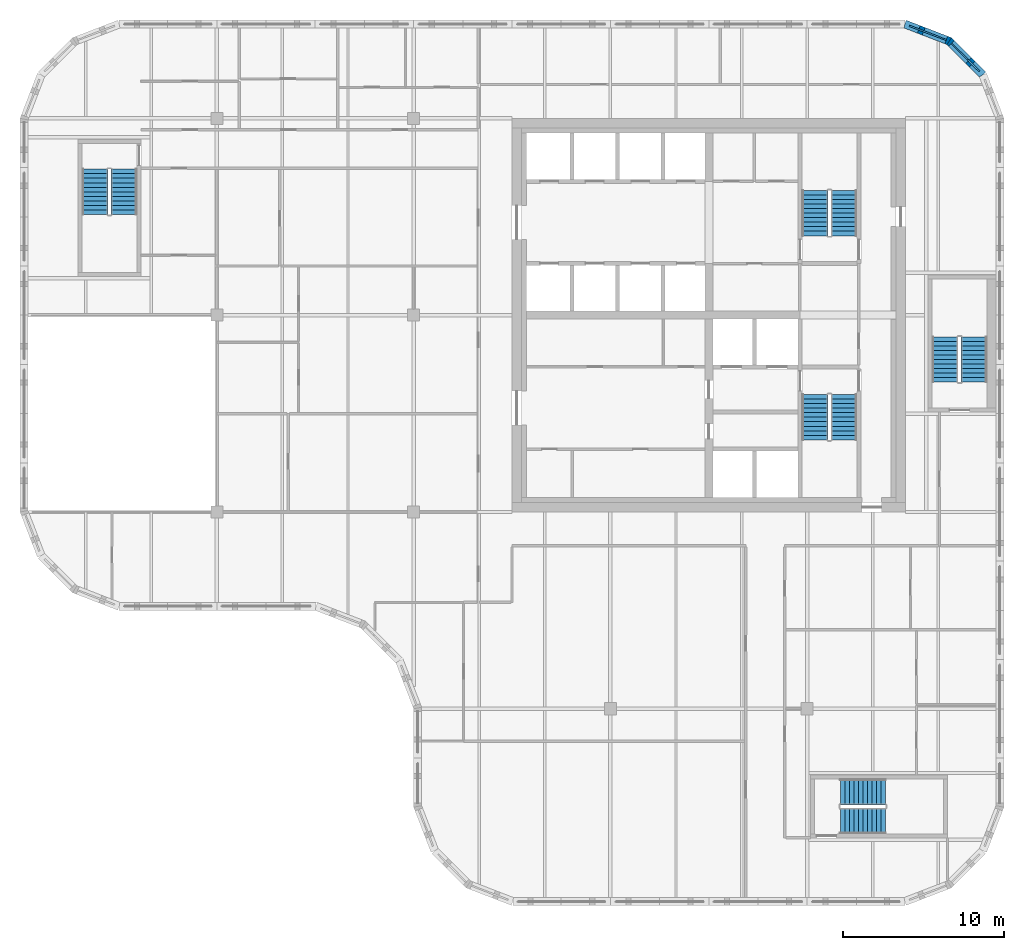
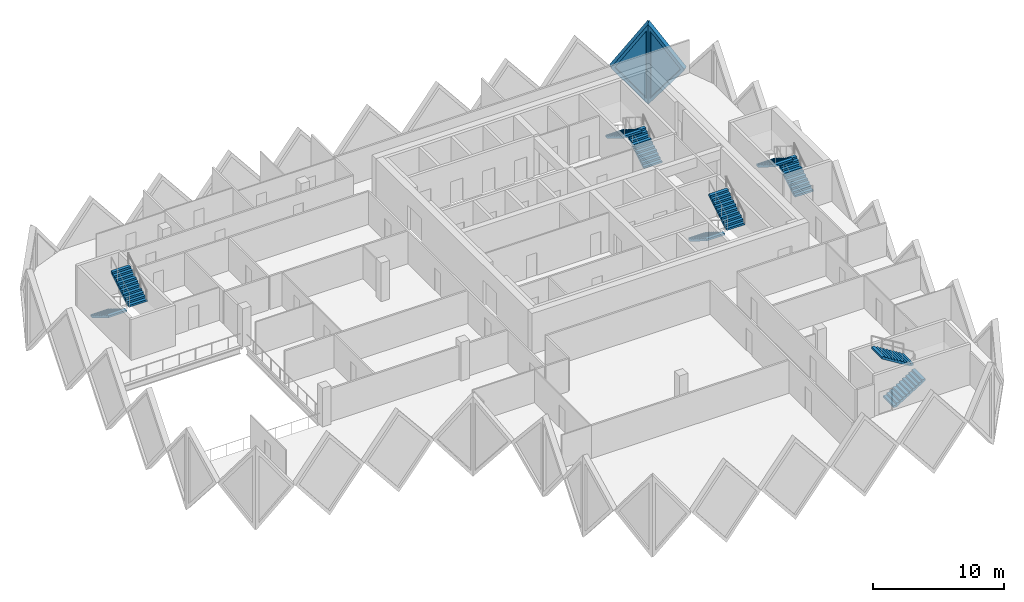
# One storey, part 10 of 11: 10 stair flights, 2 plates, 2 walls, 2 openings, 5 elements without a shape of their own.
"""IFC4 building model written with IfcOpenShell, lengths in metres."""

from ifc_helpers import new_model, si_unit, direction, frame, origin, place, context, subcontext, project, spatial, polyline, outline, extrude, faceted_brep, source, transform, mapped, material, layer, layer_set, type_object, element, fill, aggregate, save


model = new_model("IFC4")

# Units and contexts
model_context = context("Model", 3, precision=1e-05, world=origin(), true_north=direction((0.0, 1.0)))
body_context = subcontext(model_context, "Body", "Model", "MODEL_VIEW")
ifc_project = project(units=[si_unit("LENGTHUNIT", "METRE"), si_unit("AREAUNIT", "SQUARE_METRE"), si_unit("VOLUMEUNIT", "CUBIC_METRE"), si_unit("PLANEANGLEUNIT", "RADIAN"), si_unit("MASSUNIT", "GRAM", prefix="KILO")], contexts=[model_context])

# Site, building, storey
site_placement = place(None, origin())
site = spatial("IfcSite", under=ifc_project, at=site_placement, CompositionType="ELEMENT")
building_placement = place(site_placement, origin())
building = spatial("IfcBuilding", under=site, at=building_placement, Name="Tessera Gate Towers", CompositionType="ELEMENT")
storey_placement = place(building_placement, frame((0.0, 0.0, 166.800048828125)))
storey = spatial("IfcBuildingStorey", under=building, at=storey_placement, Name="L41", CompositionType="ELEMENT", Elevation=166.800048828125)

# Wall, opening, plate
ifc_material_1 = material(Name="Precast concrete C60/75 white", Category="concrete")
ifc_layer_1 = layer(ifc_material_1, 0.5)
ifc_layer_set_1 = layer_set([ifc_layer_1], Name="TS3 corner tessera")
wall_type = type_object("IfcWallType", Name="TS3 corner tessera", PredefinedType="SOLIDWALL", material=ifc_layer_set_1)
shared_shape_1 = source(origin(), body_context, "Body", "Brep", [
    faceted_brep([(2.944091796875, -0.25, 0.0), (2.9970703125, -0.25, 0.068115234375), (2.9970703125, -0.25, 7.531982421875), (2.944091796875, -0.25, 7.60009765625), (0.0, -0.25, 3.800048828125), (0.052978515625, 0.25, 3.868408203125), (2.89111328125, 0.25, 7.531982421875), (2.89111328125, 0.25, 0.068115234375), (0.052978515625, 0.25, 3.731689453125), (2.944091796875, 0.000244140625, 0.0), (2.944091796875, 0.000244140625, 7.60009765625), (0.0, 0.0, 3.800048828125)], [[[0, 1, 2, 3, 4]], [[5, 6, 7, 8]], [[1, 0, 9]], [[10, 3, 2]], [[6, 5, 11, 4, 3, 10]], [[8, 7, 9, 0, 4, 11]], [[8, 11, 5]], [[1, 9, 7, 6, 10, 2]]]),
])
wall_1_placement = place(storey_placement, frame((59.68798828125, 51.50634765625, -3.800048828125), z_axis=(0.0, 0.0, 1.0), x_axis=(-0.707106781187, 0.707106781187, 0.0)))
wall_1 = element("IfcWall", 1, at=wall_1_placement, inside=storey, type_object=wall_type, Name="Precast corner tessera T1 TS3-0943", PredefinedType="SOLIDWALL", context=body_context, shape_type="MappedRepresentation", body=[
    mapped(shared_shape_1, transform((0.0, 0.0, 0.0), scale=1.0)),
])
shared_shape_2 = source(origin(), body_context, "Body", "SweptSolid", [
    extrude(outline(polyline([(2.744140625, 6.93359375), (0.316162109375, 3.800048828125), (2.744140625, 0.666259765625), (2.744140625, 6.93359375)])), frame((0.0, 0.260009765625, 0.0), z_axis=(0.0, -1.0, 0.0), x_axis=(1.0, 0.0, 0.0)), (0.0, 0.0, 1.0), 0.52001953125),
])
opening_1_placement = place(wall_1_placement, origin())
opening_1 = element("IfcOpeningElement", 2, at=opening_1_placement, cuts=wall_1, Name="Opening T1-PL2-1426", PredefinedType="OPENING", context=body_context, shape_type="MappedRepresentation", body=[
    mapped(shared_shape_2, transform((0.0, 0.0, 0.0), scale=1.0)),
])
ifc_material_2 = material(Name="Low-e laminated glass", Category="glass")
ifc_layer_2 = layer(ifc_material_2, 0.06005859375)
ifc_layer_set_2 = layer_set([ifc_layer_2], Name="PL2 rhombic pane")
plate_type = type_object("IfcPlateType", Name="PL2 rhombic pane", PredefinedType="SHEET", material=ifc_layer_set_2)
shared_shape_3 = source(origin(), body_context, "Body", "SweptSolid", [
    extrude(outline(polyline([(2.744140625, 6.93359375), (0.316162109375, 3.800048828125), (2.744140625, 0.666259765625), (2.744140625, 6.93359375)])), frame((0.0, 0.030029296875, 0.0), z_axis=(0.0, -1.0, 0.0), x_axis=(1.0, 0.0, 0.0)), (0.0, 0.0, 1.0), 0.06005859375),
])
plate_1_placement = place(opening_1_placement, origin())
plate_1 = element("IfcPlate", 3, at=plate_1_placement, inside=storey, type_object=plate_type, Name="Glass pane T1 PL2-1426", PredefinedType="SHEET", context=body_context, shape_type="MappedRepresentation", body=[
    mapped(shared_shape_3, transform((0.0, 0.0, 0.0), scale=1.0)),
])
fill(opening_1, plate_1)

shared_shape_4 = source(origin(), body_context, "Body", "Brep", [
    faceted_brep([(0.052978515625, -0.25, 0.0), (3.00341796875, -0.25, 3.800048828125), (0.052978515625, -0.25, 7.60009765625), (0.0, -0.25, 7.53173828125), (0.0, -0.25, 0.068359375), (0.10595703125, 0.25, 7.531982421875), (2.95703125, 0.25, 3.85986328125), (2.95703125, 0.25, 3.740234375), (0.10595703125, 0.25, 0.068115234375), (3.00341796875, 0.00048828125, 3.800048828125), (0.052978515625, 0.0, 0.0), (0.052978515625, 0.0, 7.60009765625)], [[[0, 1, 2, 3, 4]], [[5, 6, 7, 8]], [[8, 7, 9, 1, 0, 10]], [[6, 5, 11, 2, 1, 9]], [[3, 2, 11]], [[10, 0, 4]], [[8, 10, 4, 3, 11, 5]], [[9, 7, 6]]]),
])
wall_2_placement = place(storey_placement, frame((57.65576171875, 53.569091796875, -3.800048828125), z_axis=(0.0, 0.0, 1.0), x_axis=(-0.933007896601, 0.359855894603, 0.0)))
wall_2 = element("IfcWall", 4, at=wall_2_placement, inside=storey, type_object=wall_type, Name="Precast corner tessera T1 TS3-0944", PredefinedType="SOLIDWALL", context=body_context, shape_type="MappedRepresentation", body=[
    mapped(shared_shape_4, transform((0.0, 0.0, 0.0), scale=1.0)),
])
shared_shape_5 = source(origin(), body_context, "Body", "SweptSolid", [
    extrude(outline(polyline([(0.2529296875, 0.665283203125), (2.68701171875, 3.800048828125), (0.2529296875, 6.934814453125), (0.2529296875, 0.665283203125)])), frame((0.0, 0.260009765625, 0.0), z_axis=(0.0, -1.0, 0.0), x_axis=(1.0, 0.0, 0.0)), (0.0, 0.0, 1.0), 0.52001953125),
])
opening_2_placement = place(wall_2_placement, origin())
opening_2 = element("IfcOpeningElement", 5, at=opening_2_placement, cuts=wall_2, Name="Opening T1-PL2-1427", PredefinedType="OPENING", context=body_context, shape_type="MappedRepresentation", body=[
    mapped(shared_shape_5, transform((0.0, 0.0, 0.0), scale=1.0)),
])
shared_shape_6 = source(origin(), body_context, "Body", "SweptSolid", [
    extrude(outline(polyline([(0.2529296875, 0.665283203125), (2.68701171875, 3.800048828125), (0.2529296875, 6.934814453125), (0.2529296875, 0.665283203125)])), frame((0.0, 0.030029296875, 0.0), z_axis=(0.0, -1.0, 0.0), x_axis=(1.0, 0.0, 0.0)), (0.0, 0.0, 1.0), 0.06005859375),
])
plate_2_placement = place(opening_2_placement, origin())
plate_2 = element("IfcPlate", 6, at=plate_2_placement, inside=storey, type_object=plate_type, Name="Glass pane T1 PL2-1427", PredefinedType="SHEET", context=body_context, shape_type="MappedRepresentation", body=[
    mapped(shared_shape_6, transform((0.0, 0.0, 0.0), scale=1.0)),
])
fill(opening_2, plate_2)

# Stair, stair flights
ifc_material_3 = material(Name="Concrete C40/50", Category="concrete")
stair_type_1 = type_object("IfcStairType", Name="EXIT STAIR ST1 1600", PredefinedType="HALF_TURN_STAIR", material=ifc_material_3)
stair_1_placement = place(storey_placement, origin())
stair_1 = element("IfcStair", 7, at=stair_1_placement, inside=storey, type_object=stair_type_1, Name="L41 Protected Exit Stair ST1", PredefinedType="HALF_TURN_STAIR")
ifc_material_4 = material(Name="Concrete C40/50", Category="concrete")
stair_flight_type_1 = type_object("IfcStairFlightType", Name="EXIT STAIR FLIGHT ST1 1600", PredefinedType="STRAIGHT", material=ifc_material_4)
stair_flight_1_placement = place(storey_placement, frame((49.27490234375, 31.675048828125, 0.0), z_axis=(0.0, 0.0, 1.0), x_axis=(0.0, -1.0, 0.0)))
stair_flight_1 = element("IfcStairFlight", 8, at=stair_flight_1_placement, type_object=stair_flight_type_1, Name="ST1 flight 1", NumberOfRisers=11, NumberOfTreads=10, PredefinedType="STRAIGHT", RiserHeight=0.172727273, TreadLength=0.28, context=body_context, shape_type="SweptSolid", body=[
    extrude(outline(polyline([(0.0, 0.0), (0.0, 0.172607421875), (0.280029296875, 0.172607421875), (0.280029296875, 0.345458984375), (0.56005859375, 0.345458984375), (0.56005859375, 0.51806640625), (0.840087890625, 0.51806640625), (0.840087890625, 0.69091796875), (1.1201171875, 0.69091796875), (1.1201171875, 0.863525390625), (1.39990234375, 0.863525390625), (1.39990234375, 1.036376953125), (1.679931640625, 1.036376953125), (1.679931640625, 1.208984375), (1.9599609375, 1.208984375), (1.9599609375, 1.3818359375), (2.239990234375, 1.3818359375), (2.239990234375, 1.554443359375), (2.52001953125, 1.554443359375), (2.52001953125, 1.727294921875), (2.800048828125, 1.727294921875), (2.800048828125, 1.89990234375), (2.800048828125, 1.551025390625), (0.285400390625, 0.0), (0.0, 0.0)])), frame((0.0, 0.800048828125, 0.0), z_axis=(0.0, -1.0, 0.0), x_axis=(1.0, 0.0, 0.0)), (0.0, 0.0, 1.0), 1.60009765625),
])
stair_flight_2_placement = place(storey_placement, frame((51.074951171875, 28.875, 1.89990234375), z_axis=(0.0, 0.0, 1.0), x_axis=(0.0, 1.0, 0.0)))
stair_flight_2 = element("IfcStairFlight", 9, at=stair_flight_2_placement, type_object=stair_flight_type_1, Name="ST1 flight 2", NumberOfRisers=11, NumberOfTreads=10, PredefinedType="STRAIGHT", RiserHeight=0.172727273, TreadLength=0.28, context=body_context, shape_type="SweptSolid", body=[
    extrude(outline(polyline([(0.0, 0.0), (0.0, 0.172607421875), (0.280029296875, 0.172607421875), (0.280029296875, 0.345458984375), (0.56005859375, 0.345458984375), (0.56005859375, 0.51806640625), (0.840087890625, 0.51806640625), (0.840087890625, 0.69091796875), (1.1201171875, 0.69091796875), (1.1201171875, 0.863525390625), (1.39990234375, 0.863525390625), (1.39990234375, 1.036376953125), (1.679931640625, 1.036376953125), (1.679931640625, 1.208984375), (1.9599609375, 1.208984375), (1.9599609375, 1.3818359375), (2.239990234375, 1.3818359375), (2.239990234375, 1.554443359375), (2.52001953125, 1.554443359375), (2.52001953125, 1.727294921875), (2.800048828125, 1.727294921875), (2.800048828125, 1.89990234375), (2.800048828125, 1.551025390625), (0.285400390625, 0.0), (0.0, 0.0)])), frame((0.0, 0.800048828125, 0.0), z_axis=(0.0, -1.0, 0.0), x_axis=(1.0, 0.0, 0.0)), (0.0, 0.0, 1.0), 1.60009765625),
])
aggregate(stair_1, [stair_flight_1, stair_flight_2])

ifc_material_5 = material(Name="Concrete C40/50", Category="concrete")
stair_type_2 = type_object("IfcStairType", Name="EXIT STAIR ST2 1600", PredefinedType="HALF_TURN_STAIR", material=ifc_material_5)
stair_2_placement = place(storey_placement, origin())
stair_2 = element("IfcStair", 10, at=stair_2_placement, inside=storey, type_object=stair_type_2, Name="L41 Protected Exit Stair ST2", PredefinedType="HALF_TURN_STAIR")
ifc_material_6 = material(Name="Concrete C40/50", Category="concrete")
stair_flight_type_2 = type_object("IfcStairFlightType", Name="EXIT STAIR FLIGHT ST2 1600", PredefinedType="STRAIGHT", material=ifc_material_6)
stair_flight_3_placement = place(storey_placement, frame((51.074951171875, 41.52490234375, 0.0), z_axis=(0.0, 0.0, 1.0), x_axis=(0.0, 1.0, 0.0)))
stair_flight_3 = element("IfcStairFlight", 11, at=stair_flight_3_placement, type_object=stair_flight_type_2, Name="ST2 flight 1", NumberOfRisers=11, NumberOfTreads=10, PredefinedType="STRAIGHT", RiserHeight=0.172727273, TreadLength=0.28, context=body_context, shape_type="SweptSolid", body=[
    extrude(outline(polyline([(0.0, 0.0), (0.0, 0.172607421875), (0.280029296875, 0.172607421875), (0.280029296875, 0.345458984375), (0.56005859375, 0.345458984375), (0.56005859375, 0.51806640625), (0.840087890625, 0.51806640625), (0.840087890625, 0.69091796875), (1.1201171875, 0.69091796875), (1.1201171875, 0.863525390625), (1.39990234375, 0.863525390625), (1.39990234375, 1.036376953125), (1.679931640625, 1.036376953125), (1.679931640625, 1.208984375), (1.9599609375, 1.208984375), (1.9599609375, 1.3818359375), (2.239990234375, 1.3818359375), (2.239990234375, 1.554443359375), (2.52001953125, 1.554443359375), (2.52001953125, 1.727294921875), (2.800048828125, 1.727294921875), (2.800048828125, 1.89990234375), (2.800048828125, 1.551025390625), (0.285400390625, 0.0), (0.0, 0.0)])), frame((0.0, 0.800048828125, 0.0), z_axis=(0.0, -1.0, 0.0), x_axis=(1.0, 0.0, 0.0)), (0.0, 0.0, 1.0), 1.60009765625),
])
stair_flight_4_placement = place(storey_placement, frame((49.27490234375, 44.324951171875, 1.89990234375), z_axis=(0.0, 0.0, 1.0), x_axis=(0.0, -1.0, 0.0)))
stair_flight_4 = element("IfcStairFlight", 12, at=stair_flight_4_placement, type_object=stair_flight_type_2, Name="ST2 flight 2", NumberOfRisers=11, NumberOfTreads=10, PredefinedType="STRAIGHT", RiserHeight=0.172727273, TreadLength=0.28, context=body_context, shape_type="SweptSolid", body=[
    extrude(outline(polyline([(0.0, 0.0), (0.0, 0.172607421875), (0.280029296875, 0.172607421875), (0.280029296875, 0.345458984375), (0.56005859375, 0.345458984375), (0.56005859375, 0.51806640625), (0.840087890625, 0.51806640625), (0.840087890625, 0.69091796875), (1.1201171875, 0.69091796875), (1.1201171875, 0.863525390625), (1.39990234375, 0.863525390625), (1.39990234375, 1.036376953125), (1.679931640625, 1.036376953125), (1.679931640625, 1.208984375), (1.9599609375, 1.208984375), (1.9599609375, 1.3818359375), (2.239990234375, 1.3818359375), (2.239990234375, 1.554443359375), (2.52001953125, 1.554443359375), (2.52001953125, 1.727294921875), (2.800048828125, 1.727294921875), (2.800048828125, 1.89990234375), (2.800048828125, 1.551025390625), (0.285400390625, 0.0), (0.0, 0.0)])), frame((0.0, 0.800048828125, 0.0), z_axis=(0.0, -1.0, 0.0), x_axis=(1.0, 0.0, 0.0)), (0.0, 0.0, 1.0), 1.60009765625),
])
aggregate(stair_2, [stair_flight_3, stair_flight_4])

ifc_material_7 = material(Name="Concrete C40/50", Category="concrete")
stair_type_3 = type_object("IfcStairType", Name="EXIT STAIR ST3 1600", PredefinedType="HALF_TURN_STAIR", material=ifc_material_7)
stair_3_placement = place(storey_placement, origin())
stair_3 = element("IfcStair", 13, at=stair_3_placement, inside=storey, type_object=stair_type_3, Name="L41 West Exit Stair ST3", PredefinedType="HALF_TURN_STAIR")
ifc_material_8 = material(Name="Concrete C40/50", Category="concrete")
stair_flight_type_3 = type_object("IfcStairFlightType", Name="EXIT STAIR FLIGHT ST3 1600", PredefinedType="STRAIGHT", material=ifc_material_8)
stair_flight_5_placement = place(storey_placement, frame((4.64990234375, 45.64990234375, 0.0), z_axis=(0.0, 0.0, 1.0), x_axis=(0.0, -1.0, 0.0)))
stair_flight_5 = element("IfcStairFlight", 14, at=stair_flight_5_placement, type_object=stair_flight_type_3, Name="ST3 flight 1", NumberOfRisers=11, NumberOfTreads=10, PredefinedType="STRAIGHT", RiserHeight=0.172727273, TreadLength=0.28, context=body_context, shape_type="SweptSolid", body=[
    extrude(outline(polyline([(0.0, 0.0), (0.0, 0.172607421875), (0.280029296875, 0.172607421875), (0.280029296875, 0.345458984375), (0.56005859375, 0.345458984375), (0.56005859375, 0.51806640625), (0.840087890625, 0.51806640625), (0.840087890625, 0.69091796875), (1.1201171875, 0.69091796875), (1.1201171875, 0.863525390625), (1.39990234375, 0.863525390625), (1.39990234375, 1.036376953125), (1.679931640625, 1.036376953125), (1.679931640625, 1.208984375), (1.9599609375, 1.208984375), (1.9599609375, 1.3818359375), (2.239990234375, 1.3818359375), (2.239990234375, 1.554443359375), (2.52001953125, 1.554443359375), (2.52001953125, 1.727294921875), (2.800048828125, 1.727294921875), (2.800048828125, 1.89990234375), (2.800048828125, 1.551025390625), (0.285400390625, 0.0), (0.0, 0.0)])), frame((0.0, 0.800048828125, 0.0), z_axis=(0.0, -1.0, 0.0), x_axis=(1.0, 0.0, 0.0)), (0.0, 0.0, 1.0), 1.60009765625),
])
stair_flight_6_placement = place(storey_placement, frame((6.449951171875, 42.85009765625, 1.89990234375), z_axis=(0.0, 0.0, 1.0), x_axis=(0.0, 1.0, 0.0)))
stair_flight_6 = element("IfcStairFlight", 15, at=stair_flight_6_placement, type_object=stair_flight_type_3, Name="ST3 flight 2", NumberOfRisers=11, NumberOfTreads=10, PredefinedType="STRAIGHT", RiserHeight=0.172727273, TreadLength=0.28, context=body_context, shape_type="SweptSolid", body=[
    extrude(outline(polyline([(0.0, 0.0), (0.0, 0.172607421875), (0.280029296875, 0.172607421875), (0.280029296875, 0.345458984375), (0.56005859375, 0.345458984375), (0.56005859375, 0.51806640625), (0.840087890625, 0.51806640625), (0.840087890625, 0.69091796875), (1.1201171875, 0.69091796875), (1.1201171875, 0.863525390625), (1.39990234375, 0.863525390625), (1.39990234375, 1.036376953125), (1.679931640625, 1.036376953125), (1.679931640625, 1.208984375), (1.9599609375, 1.208984375), (1.9599609375, 1.3818359375), (2.239990234375, 1.3818359375), (2.239990234375, 1.554443359375), (2.52001953125, 1.554443359375), (2.52001953125, 1.727294921875), (2.800048828125, 1.727294921875), (2.800048828125, 1.89990234375), (2.800048828125, 1.551025390625), (0.285400390625, 0.0), (0.0, 0.0)])), frame((0.0, 0.800048828125, 0.0), z_axis=(0.0, -1.0, 0.0), x_axis=(1.0, 0.0, 0.0)), (0.0, 0.0, 1.0), 1.60009765625),
])
aggregate(stair_3, [stair_flight_5, stair_flight_6])

ifc_material_9 = material(Name="Concrete C40/50", Category="concrete")
stair_type_4 = type_object("IfcStairType", Name="EXIT STAIR ST4 1600", PredefinedType="HALF_TURN_STAIR", material=ifc_material_9)
stair_4_placement = place(storey_placement, origin())
stair_4 = element("IfcStair", 16, at=stair_4_placement, inside=storey, type_object=stair_type_4, Name="L41 South Exit Stair ST4", PredefinedType="HALF_TURN_STAIR")
ifc_material_10 = material(Name="Concrete C40/50", Category="concrete")
stair_flight_type_4 = type_object("IfcStairFlightType", Name="EXIT STAIR FLIGHT ST4 1600", PredefinedType="STRAIGHT", material=ifc_material_10)
stair_flight_7_placement = place(storey_placement, frame((50.85009765625, 5.25, 0.0), z_axis=(0.0, 0.0, 1.0), x_axis=(1.0, 0.0, 0.0)))
stair_flight_7 = element("IfcStairFlight", 17, at=stair_flight_7_placement, type_object=stair_flight_type_4, Name="ST4 flight 1", NumberOfRisers=11, NumberOfTreads=10, PredefinedType="STRAIGHT", RiserHeight=0.172727273, TreadLength=0.28, context=body_context, shape_type="SweptSolid", body=[
    extrude(outline(polyline([(0.0, 0.0), (0.0, 0.172607421875), (0.280029296875, 0.172607421875), (0.280029296875, 0.345458984375), (0.56005859375, 0.345458984375), (0.56005859375, 0.51806640625), (0.840087890625, 0.51806640625), (0.840087890625, 0.69091796875), (1.1201171875, 0.69091796875), (1.1201171875, 0.863525390625), (1.39990234375, 0.863525390625), (1.39990234375, 1.036376953125), (1.679931640625, 1.036376953125), (1.679931640625, 1.208984375), (1.9599609375, 1.208984375), (1.9599609375, 1.3818359375), (2.239990234375, 1.3818359375), (2.239990234375, 1.554443359375), (2.52001953125, 1.554443359375), (2.52001953125, 1.727294921875), (2.800048828125, 1.727294921875), (2.800048828125, 1.89990234375), (2.800048828125, 1.551025390625), (0.285400390625, 0.0), (0.0, 0.0)])), frame((0.0, 0.800048828125, 0.0), z_axis=(0.0, -1.0, 0.0), x_axis=(1.0, 0.0, 0.0)), (0.0, 0.0, 1.0), 1.60009765625),
])
stair_flight_8_placement = place(storey_placement, frame((53.64990234375, 7.050048828125, 1.89990234375), z_axis=(0.0, 0.0, 1.0), x_axis=(-1.0, 0.0, 0.0)))
stair_flight_8 = element("IfcStairFlight", 18, at=stair_flight_8_placement, type_object=stair_flight_type_4, Name="ST4 flight 2", NumberOfRisers=11, NumberOfTreads=10, PredefinedType="STRAIGHT", RiserHeight=0.172727273, TreadLength=0.28, context=body_context, shape_type="SweptSolid", body=[
    extrude(outline(polyline([(0.0, 0.0), (0.0, 0.172607421875), (0.280029296875, 0.172607421875), (0.280029296875, 0.345458984375), (0.56005859375, 0.345458984375), (0.56005859375, 0.51806640625), (0.840087890625, 0.51806640625), (0.840087890625, 0.69091796875), (1.1201171875, 0.69091796875), (1.1201171875, 0.863525390625), (1.39990234375, 0.863525390625), (1.39990234375, 1.036376953125), (1.679931640625, 1.036376953125), (1.679931640625, 1.208984375), (1.9599609375, 1.208984375), (1.9599609375, 1.3818359375), (2.239990234375, 1.3818359375), (2.239990234375, 1.554443359375), (2.52001953125, 1.554443359375), (2.52001953125, 1.727294921875), (2.800048828125, 1.727294921875), (2.800048828125, 1.89990234375), (2.800048828125, 1.551025390625), (0.285400390625, 0.0), (0.0, 0.0)])), frame((0.0, 0.800048828125, 0.0), z_axis=(0.0, -1.0, 0.0), x_axis=(1.0, 0.0, 0.0)), (0.0, 0.0, 1.0), 1.60009765625),
])
aggregate(stair_4, [stair_flight_7, stair_flight_8])

ifc_material_11 = material(Name="Concrete C40/50", Category="concrete")
stair_type_5 = type_object("IfcStairType", Name="EXIT STAIR ST5 1600", PredefinedType="HALF_TURN_STAIR", material=ifc_material_11)
stair_5_placement = place(storey_placement, origin())
stair_5 = element("IfcStair", 19, at=stair_5_placement, inside=storey, type_object=stair_type_5, Name="L41 East Exit Stair ST5", PredefinedType="HALF_TURN_STAIR")
ifc_material_12 = material(Name="Concrete C40/50", Category="concrete")
stair_flight_type_5 = type_object("IfcStairFlightType", Name="EXIT STAIR FLIGHT ST5 1600", PredefinedType="STRAIGHT", material=ifc_material_12)
stair_flight_9_placement = place(storey_placement, frame((59.14990234375, 32.449951171875, 0.0), z_axis=(0.0, 0.0, 1.0), x_axis=(0.0, 1.0, 0.0)))
stair_flight_9 = element("IfcStairFlight", 20, at=stair_flight_9_placement, type_object=stair_flight_type_5, Name="ST5 flight 1", NumberOfRisers=11, NumberOfTreads=10, PredefinedType="STRAIGHT", RiserHeight=0.172727273, TreadLength=0.28, context=body_context, shape_type="SweptSolid", body=[
    extrude(outline(polyline([(0.0, 0.0), (0.0, 0.172607421875), (0.280029296875, 0.172607421875), (0.280029296875, 0.345458984375), (0.56005859375, 0.345458984375), (0.56005859375, 0.51806640625), (0.840087890625, 0.51806640625), (0.840087890625, 0.69091796875), (1.1201171875, 0.69091796875), (1.1201171875, 0.863525390625), (1.39990234375, 0.863525390625), (1.39990234375, 1.036376953125), (1.679931640625, 1.036376953125), (1.679931640625, 1.208984375), (1.9599609375, 1.208984375), (1.9599609375, 1.3818359375), (2.239990234375, 1.3818359375), (2.239990234375, 1.554443359375), (2.52001953125, 1.554443359375), (2.52001953125, 1.727294921875), (2.800048828125, 1.727294921875), (2.800048828125, 1.89990234375), (2.800048828125, 1.551025390625), (0.285400390625, 0.0), (0.0, 0.0)])), frame((0.0, 0.800048828125, 0.0), z_axis=(0.0, -1.0, 0.0), x_axis=(1.0, 0.0, 0.0)), (0.0, 0.0, 1.0), 1.60009765625),
])
stair_flight_10_placement = place(storey_placement, frame((57.35009765625, 35.25, 1.89990234375), z_axis=(0.0, 0.0, 1.0), x_axis=(0.0, -1.0, 0.0)))
stair_flight_10 = element("IfcStairFlight", 21, at=stair_flight_10_placement, type_object=stair_flight_type_5, Name="ST5 flight 2", NumberOfRisers=11, NumberOfTreads=10, PredefinedType="STRAIGHT", RiserHeight=0.172727273, TreadLength=0.28, context=body_context, shape_type="SweptSolid", body=[
    extrude(outline(polyline([(0.0, 0.0), (0.0, 0.172607421875), (0.280029296875, 0.172607421875), (0.280029296875, 0.345458984375), (0.56005859375, 0.345458984375), (0.56005859375, 0.51806640625), (0.840087890625, 0.51806640625), (0.840087890625, 0.69091796875), (1.1201171875, 0.69091796875), (1.1201171875, 0.863525390625), (1.39990234375, 0.863525390625), (1.39990234375, 1.036376953125), (1.679931640625, 1.036376953125), (1.679931640625, 1.208984375), (1.9599609375, 1.208984375), (1.9599609375, 1.3818359375), (2.239990234375, 1.3818359375), (2.239990234375, 1.554443359375), (2.52001953125, 1.554443359375), (2.52001953125, 1.727294921875), (2.800048828125, 1.727294921875), (2.800048828125, 1.89990234375), (2.800048828125, 1.551025390625), (0.285400390625, 0.0), (0.0, 0.0)])), frame((0.0, 0.800048828125, 0.0), z_axis=(0.0, -1.0, 0.0), x_axis=(1.0, 0.0, 0.0)), (0.0, 0.0, 1.0), 1.60009765625),
])
aggregate(stair_5, [stair_flight_9, stair_flight_10])

save(model, "model.ifc")
